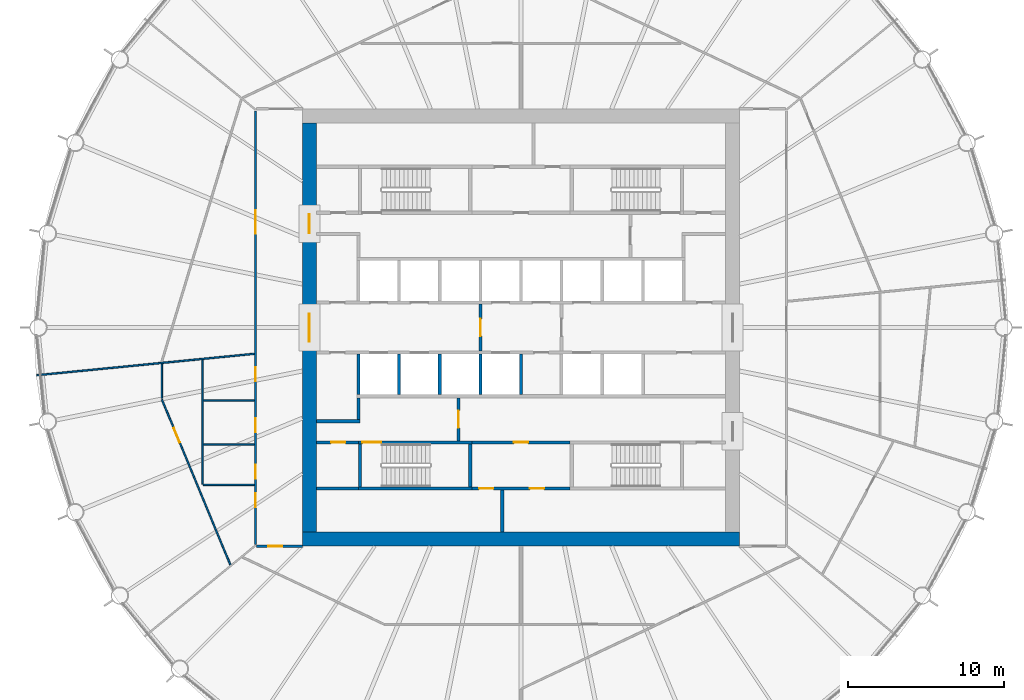
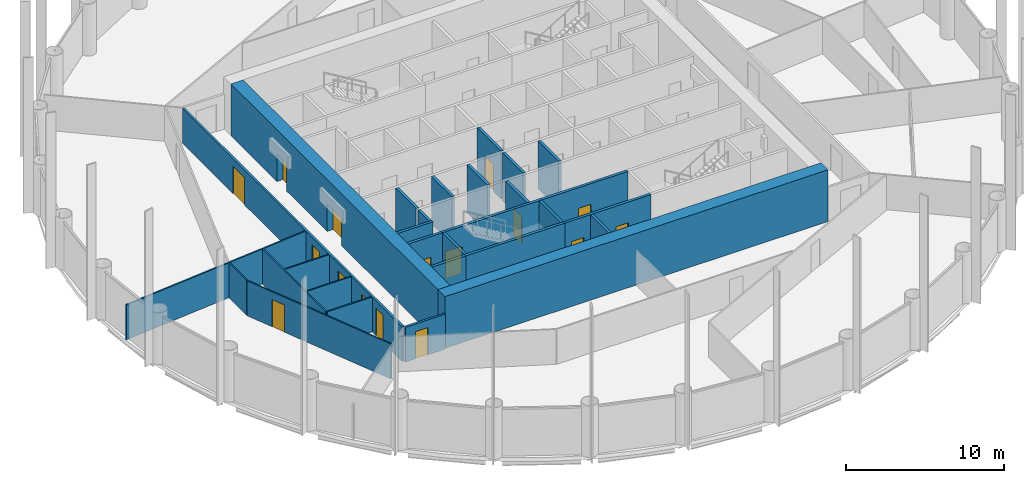
# One storey, part 4 of 8: 29 walls, 16 doors, 16 openings.
"""IFC4 building model written with IfcOpenShell, lengths in metres."""

from ifc_helpers import new_model, si_unit, direction, frame, frame_2d, origin, place, context, subcontext, project, spatial, polyline, rectangle, outline, extrude, material, layer, layer_set, type_object, element, fill, save


model = new_model("IFC4")

# Units and contexts
model_context = context("Model", 3, precision=1e-05, world=origin(), true_north=direction((0.0, 1.0)))
body_context = subcontext(model_context, "Body", "Model", "MODEL_VIEW")
ifc_project = project(units=[si_unit("LENGTHUNIT", "METRE"), si_unit("AREAUNIT", "SQUARE_METRE"), si_unit("VOLUMEUNIT", "CUBIC_METRE"), si_unit("PLANEANGLEUNIT", "RADIAN"), si_unit("MASSUNIT", "GRAM", prefix="KILO")], contexts=[model_context])

# Site, building, storey
site_placement = place(None, origin())
site = spatial("IfcSite", under=ifc_project, at=site_placement, CompositionType="ELEMENT")
building_placement = place(site_placement, origin())
building = spatial("IfcBuilding", under=site, at=building_placement, Name="Corvane Civic Tower", CompositionType="ELEMENT")
storey_placement = place(building_placement, frame((0.0, 0.0, 176.0)))
storey = spatial("IfcBuildingStorey", under=building, at=storey_placement, Name="L41", CompositionType="ELEMENT", Elevation=176.0)

# Wall
ifc_material_1 = material(Name="Concrete C60/75", Category="concrete")
ifc_layer_1 = layer(ifc_material_1, 0.89990234375)
ifc_layer_set_1 = layer_set([ifc_layer_1], Name="Concrete C60/75")
wall_type_1 = type_object("IfcWallType", Name="CORE WALL 900 C60/75", PredefinedType="SHEAR", material=ifc_layer_set_1)
wall_1_placement = place(storey_placement, frame((-14.0, -13.550048828125, 0.0), z_axis=(0.0, 0.0, 1.0), x_axis=(1.0, 0.0, 0.0)))
element("IfcWall", 1, at=wall_1_placement, inside=storey, type_object=wall_type_1, Name="W-L41-core-S", PredefinedType="SHEAR", context=body_context, shape_type="SweptSolid", body=[
    extrude(rectangle(XDim=28.0, YDim=0.89990234375, at=frame_2d((14.0, 0.0))), origin(), (0.0, 0.0, 1.0), 4.0),
])

# Wall, openings, doors
wall_2_placement = place(storey_placement, frame((-13.550048828125, -13.10009765625, 0.0), z_axis=(0.0, 0.0, 1.0), x_axis=(0.0, 1.0, 0.0)))
wall_2 = element("IfcWall", 2, at=wall_2_placement, inside=storey, type_object=wall_type_1, Name="W-L41-core-W", PredefinedType="SHEAR", context=body_context, shape_type="SweptSolid", body=[
    extrude(rectangle(XDim=26.2001953125, YDim=0.89990234375, at=frame_2d((13.10009765625, 0.0))), origin(), (0.0, 0.0, 1.0), 4.0),
])
opening_1_placement = place(wall_2_placement, frame((12.199951171875, 0.0, 0.0)))
opening_1 = element("IfcOpeningElement", 3, at=opening_1_placement, cuts=wall_2, Name="Opening L41.C24", PredefinedType="OPENING", context=body_context, shape_type="SweptSolid", body=[
    extrude(rectangle(XDim=1.800048828125, YDim=2.10009765625, at=frame_2d((0.89990234375, 1.050048828125))), frame((0.0, 0.4599609375, 0.0), z_axis=(0.0, -1.0, 0.0), x_axis=(1.0, 0.0, 0.0)), (0.0, 0.0, 1.0), 0.919921875),
])
opening_2_placement = place(wall_2_placement, frame((19.14990234375, 0.0, 0.0)))
opening_2 = element("IfcOpeningElement", 4, at=opening_2_placement, cuts=wall_2, Name="Opening L41.C26", PredefinedType="OPENING", context=body_context, shape_type="SweptSolid", body=[
    extrude(rectangle(XDim=1.199951171875, YDim=2.10009765625, at=frame_2d((0.60009765625, 1.050048828125))), frame((0.0, 0.4599609375, 0.0), z_axis=(0.0, -1.0, 0.0), x_axis=(1.0, 0.0, 0.0)), (0.0, 0.0, 1.0), 0.919921875),
])
ifc_material_2 = material(Name="Steel fire door leaf", Category="steel")
door_type_1 = type_object("IfcDoorType", Name="CR-DOOR-CORE-1800", OperationType="DOUBLE_DOOR_SINGLE_SWING", PredefinedType="DOOR", material=ifc_material_2)
door_1_placement = place(opening_1_placement, origin())
door_1 = element("IfcDoor", 5, at=door_1_placement, inside=storey, type_object=door_type_1, Name="L41 door", OperationType="DOUBLE_DOOR_SINGLE_SWING", OverallHeight=2.10009765625, OverallWidth=1.800048828125, PredefinedType="DOOR", context=body_context, shape_type="SweptSolid", body=[
    extrude(rectangle(XDim=1.800048828125, YDim=2.10009765625, at=frame_2d((0.89990234375, 1.050048828125))), frame((0.0, 0.02490234375, 0.0), z_axis=(0.0, -1.0, 0.0), x_axis=(1.0, 0.0, 0.0)), (0.0, 0.0, 1.0), 0.050048828125),
])
fill(opening_1, door_1)
door_2_placement = place(opening_2_placement, origin())
door_2 = element("IfcDoor", 6, at=door_2_placement, inside=storey, type_object=door_type_1, Name="L41 door", OperationType="DOUBLE_DOOR_SINGLE_SWING", OverallHeight=2.10009765625, OverallWidth=1.199951171875, PredefinedType="DOOR", context=body_context, shape_type="SweptSolid", body=[
    extrude(rectangle(XDim=1.199951171875, YDim=2.10009765625, at=frame_2d((0.60009765625, 1.050048828125))), frame((0.0, 0.02490234375, 0.0), z_axis=(0.0, -1.0, 0.0), x_axis=(1.0, 0.0, 0.0)), (0.0, 0.0, 1.0), 0.050048828125),
])
fill(opening_2, door_2)

ifc_material_3 = material(Name="Concrete C30/37", Category="concrete")
ifc_layer_2 = layer(ifc_material_3, 0.199951171875)
ifc_layer_set_2 = layer_set([ifc_layer_2], Name="Concrete C30/37")
wall_type_2 = type_object("IfcWallType", Name="CR-WALL-200", PredefinedType="PARTITIONING", material=ifc_layer_set_2)
wall_3_placement = place(storey_placement, frame((-3.14990234375, -10.300048828125, 0.0), z_axis=(0.0, 0.0, 1.0), x_axis=(1.0, 0.0, 0.0)))
wall_3 = element("IfcWall", 7, at=wall_3_placement, inside=storey, type_object=wall_type_2, Name="L41 partition wall", PredefinedType="PARTITIONING", context=body_context, shape_type="SweptSolid", body=[
    extrude(rectangle(XDim=6.2998046875, YDim=0.199951171875, at=frame_2d((3.14990234375, 0.0))), origin(), (0.0, 0.0, 1.0), 3.699951171875),
])
opening_3_placement = place(wall_3_placement, frame((0.47509765625, 0.0, 0.0)))
opening_3 = element("IfcOpeningElement", 8, at=opening_3_placement, cuts=wall_3, Name="Opening L41.C10", PredefinedType="OPENING", context=body_context, shape_type="SweptSolid", body=[
    extrude(rectangle(XDim=0.89990234375, YDim=2.10009765625, at=frame_2d((0.449951171875, 1.050048828125))), frame((0.0, 0.10986328125, 0.0), z_axis=(0.0, -1.0, 0.0), x_axis=(1.0, 0.0, 0.0)), (0.0, 0.0, 1.0), 0.219970703125),
])
opening_4_placement = place(wall_3_placement, frame((3.72509765625, 0.0, 0.0)))
opening_4 = element("IfcOpeningElement", 9, at=opening_4_placement, cuts=wall_3, Name="Opening L41.C11", PredefinedType="OPENING", context=body_context, shape_type="SweptSolid", body=[
    extrude(rectangle(XDim=0.89990234375, YDim=2.10009765625, at=frame_2d((0.449951171875, 1.050048828125))), frame((0.0, 0.10986328125, 0.0), z_axis=(0.0, -1.0, 0.0), x_axis=(1.0, 0.0, 0.0)), (0.0, 0.0, 1.0), 0.219970703125),
])
ifc_material_4 = material(Name="Steel fire door leaf", Category="steel")
door_type_2 = type_object("IfcDoorType", Name="CR-DOOR-900", OperationType="SINGLE_SWING_LEFT", PredefinedType="DOOR", material=ifc_material_4)
door_3_placement = place(opening_3_placement, origin())
door_3 = element("IfcDoor", 10, at=door_3_placement, inside=storey, type_object=door_type_2, Name="L41 door", OperationType="SINGLE_SWING_LEFT", OverallHeight=2.10009765625, OverallWidth=0.89990234375, PredefinedType="DOOR", context=body_context, shape_type="SweptSolid", body=[
    extrude(rectangle(XDim=0.89990234375, YDim=2.10009765625, at=frame_2d((0.449951171875, 1.050048828125))), frame((0.0, 0.02490234375, 0.0), z_axis=(0.0, -1.0, 0.0), x_axis=(1.0, 0.0, 0.0)), (0.0, 0.0, 1.0), 0.050048828125),
])
fill(opening_3, door_3)
door_4_placement = place(opening_4_placement, origin())
door_4 = element("IfcDoor", 11, at=door_4_placement, inside=storey, type_object=door_type_2, Name="L41 door", OperationType="SINGLE_SWING_LEFT", OverallHeight=2.10009765625, OverallWidth=0.89990234375, PredefinedType="DOOR", context=body_context, shape_type="SweptSolid", body=[
    extrude(rectangle(XDim=0.89990234375, YDim=2.10009765625, at=frame_2d((0.449951171875, 1.050048828125))), frame((0.0, 0.02490234375, 0.0), z_axis=(0.0, -1.0, 0.0), x_axis=(1.0, 0.0, 0.0)), (0.0, 0.0, 1.0), 0.050048828125),
])
fill(opening_4, door_4)

# Wall, opening, door
wall_4_placement = place(storey_placement, frame((-13.10009765625, -7.35009765625, 0.0), z_axis=(0.0, 0.0, 1.0), x_axis=(1.0, 0.0, 0.0)))
wall_4 = element("IfcWall", 12, at=wall_4_placement, inside=storey, type_object=wall_type_2, Name="L41 core partition wall", PredefinedType="PARTITIONING", context=body_context, shape_type="SweptSolid", body=[
    extrude(rectangle(XDim=2.7001953125, YDim=0.199951171875, at=frame_2d((1.35009765625, 0.0))), origin(), (0.0, 0.0, 1.0), 3.699951171875),
])
opening_5_placement = place(wall_4_placement, frame((0.949951171875, 0.0, 0.0)))
opening_5 = element("IfcOpeningElement", 13, at=opening_5_placement, cuts=wall_4, Name="Opening L41.C13", PredefinedType="OPENING", context=body_context, shape_type="SweptSolid", body=[
    extrude(rectangle(XDim=0.89990234375, YDim=2.10009765625, at=frame_2d((0.449951171875, 1.050048828125))), frame((0.0, 0.10986328125, 0.0), z_axis=(0.0, -1.0, 0.0), x_axis=(1.0, 0.0, 0.0)), (0.0, 0.0, 1.0), 0.219970703125),
])
door_5_placement = place(opening_5_placement, origin())
door_5 = element("IfcDoor", 14, at=door_5_placement, inside=storey, type_object=door_type_2, Name="L41 door", OperationType="SINGLE_SWING_LEFT", OverallHeight=2.10009765625, OverallWidth=0.89990234375, PredefinedType="DOOR", context=body_context, shape_type="SweptSolid", body=[
    extrude(rectangle(XDim=0.89990234375, YDim=2.10009765625, at=frame_2d((0.449951171875, 1.050048828125))), frame((0.0, 0.02490234375, 0.0), z_axis=(0.0, -1.0, 0.0), x_axis=(1.0, 0.0, 0.0)), (0.0, 0.0, 1.0), 0.050048828125),
])
fill(opening_5, door_5)

wall_5_placement = place(storey_placement, frame((-3.14990234375, -7.35009765625, 0.0), z_axis=(0.0, 0.0, 1.0), x_axis=(1.0, 0.0, 0.0)))
wall_5 = element("IfcWall", 15, at=wall_5_placement, inside=storey, type_object=wall_type_2, Name="L41 core partition wall", PredefinedType="PARTITIONING", context=body_context, shape_type="SweptSolid", body=[
    extrude(rectangle(XDim=6.2998046875, YDim=0.199951171875, at=frame_2d((3.14990234375, 0.0))), origin(), (0.0, 0.0, 1.0), 3.699951171875),
])
opening_6_placement = place(wall_5_placement, frame((2.699951171875, 0.0, 0.0)))
opening_6 = element("IfcOpeningElement", 16, at=opening_6_placement, cuts=wall_5, Name="Opening L41.C07", PredefinedType="OPENING", context=body_context, shape_type="SweptSolid", body=[
    extrude(rectangle(XDim=0.89990234375, YDim=2.10009765625, at=frame_2d((0.449951171875, 1.050048828125))), frame((0.0, 0.10986328125, 0.0), z_axis=(0.0, -1.0, 0.0), x_axis=(1.0, 0.0, 0.0)), (0.0, 0.0, 1.0), 0.219970703125),
])
door_6_placement = place(opening_6_placement, origin())
door_6 = element("IfcDoor", 17, at=door_6_placement, inside=storey, type_object=door_type_2, Name="L41 door", OperationType="SINGLE_SWING_LEFT", OverallHeight=2.10009765625, OverallWidth=0.89990234375, PredefinedType="DOOR", context=body_context, shape_type="SweptSolid", body=[
    extrude(rectangle(XDim=0.89990234375, YDim=2.10009765625, at=frame_2d((0.449951171875, 1.050048828125))), frame((0.0, 0.02490234375, 0.0), z_axis=(0.0, -1.0, 0.0), x_axis=(1.0, 0.0, 0.0)), (0.0, 0.0, 1.0), 0.050048828125),
])
fill(opening_6, door_6)

wall_6_placement = place(storey_placement, frame((-4.0, -7.25, 0.0), z_axis=(0.0, 0.0, 1.0), x_axis=(0.0, 1.0, 0.0)))
wall_6 = element("IfcWall", 18, at=wall_6_placement, inside=storey, type_object=wall_type_2, Name="L41 core partition wall", PredefinedType="PARTITIONING", context=body_context, shape_type="SweptSolid", body=[
    extrude(rectangle(XDim=2.75, YDim=0.199951171875, at=frame_2d((1.375, 0.0))), origin(), (0.0, 0.0, 1.0), 3.699951171875),
])
opening_7_placement = place(wall_6_placement, frame((0.824951171875, 0.0, 0.0)))
opening_7 = element("IfcOpeningElement", 19, at=opening_7_placement, cuts=wall_6, Name="Opening L41.C23", PredefinedType="OPENING", context=body_context, shape_type="SweptSolid", body=[
    extrude(rectangle(XDim=1.10009765625, YDim=2.10009765625, at=frame_2d((0.550048828125, 1.050048828125))), frame((0.0, 0.10986328125, 0.0), z_axis=(0.0, -1.0, 0.0), x_axis=(1.0, 0.0, 0.0)), (0.0, 0.0, 1.0), 0.219970703125),
])
ifc_material_5 = material(Name="Steel fire door leaf", Category="steel")
door_type_3 = type_object("IfcDoorType", Name="CR-DOOR-FFL-1100", OperationType="SINGLE_SWING_LEFT", PredefinedType="DOOR", material=ifc_material_5)
door_7_placement = place(opening_7_placement, origin())
door_7 = element("IfcDoor", 20, at=door_7_placement, inside=storey, type_object=door_type_3, Name="L41 lobby door", OperationType="SINGLE_SWING_LEFT", OverallHeight=2.10009765625, OverallWidth=1.10009765625, PredefinedType="DOOR", context=body_context, shape_type="SweptSolid", body=[
    extrude(rectangle(XDim=1.10009765625, YDim=2.10009765625, at=frame_2d((0.550048828125, 1.050048828125))), frame((0.0, 0.02490234375, 0.0), z_axis=(0.0, -1.0, 0.0), x_axis=(1.0, 0.0, 0.0)), (0.0, 0.0, 1.0), 0.050048828125),
])
fill(opening_7, door_7)

wall_7_placement = place(storey_placement, frame((-2.60009765625, -1.5, 0.0), z_axis=(0.0, 0.0, 1.0), x_axis=(0.0, 1.0, 0.0)))
wall_7 = element("IfcWall", 21, at=wall_7_placement, inside=storey, type_object=wall_type_2, Name="L41 firefighting lobby wall", PredefinedType="PARTITIONING", context=body_context, shape_type="SweptSolid", body=[
    extrude(rectangle(XDim=3.0, YDim=0.199951171875, at=frame_2d((1.5, 0.0))), origin(), (0.0, 0.0, 1.0), 3.699951171875),
])
opening_8_placement = place(wall_7_placement, frame((0.949951171875, 0.0, 0.0)))
opening_8 = element("IfcOpeningElement", 22, at=opening_8_placement, cuts=wall_7, Name="Opening L41.C20", PredefinedType="OPENING", context=body_context, shape_type="SweptSolid", body=[
    extrude(rectangle(XDim=1.10009765625, YDim=2.10009765625, at=frame_2d((0.550048828125, 1.050048828125))), frame((0.0, 0.10986328125, 0.0), z_axis=(0.0, -1.0, 0.0), x_axis=(1.0, 0.0, 0.0)), (0.0, 0.0, 1.0), 0.219970703125),
])
door_8_placement = place(opening_8_placement, origin())
door_8 = element("IfcDoor", 23, at=door_8_placement, inside=storey, type_object=door_type_3, Name="L41 lobby door", OperationType="SINGLE_SWING_LEFT", OverallHeight=2.10009765625, OverallWidth=1.10009765625, PredefinedType="DOOR", context=body_context, shape_type="SweptSolid", body=[
    extrude(rectangle(XDim=1.10009765625, YDim=2.10009765625, at=frame_2d((0.550048828125, 1.050048828125))), frame((0.0, 0.02490234375, 0.0), z_axis=(0.0, -1.0, 0.0), x_axis=(1.0, 0.0, 0.0)), (0.0, 0.0, 1.0), 0.050048828125),
])
fill(opening_8, door_8)

# Walls
wall_8_placement = place(storey_placement, origin())
element("IfcWall", 24, at=wall_8_placement, inside=storey, type_object=wall_type_2, Name="L41 core partition wall", PredefinedType="PARTITIONING", context=body_context, shape_type="SweptSolid", body=[
    extrude(outline(polyline([(-10.300048828125, -6.10009765625), (-13.10009765625, -6.10009765625), (-13.10009765625, -5.89990234375), (-10.300048828125, -5.89990234375), (-10.300048828125, -6.10009765625)])), origin(), (0.0, 0.0, 1.0), 3.699951171875),
])
wall_9_placement = place(storey_placement, origin())
element("IfcWall", 25, at=wall_9_placement, inside=storey, type_object=wall_type_2, Name="L41 core partition wall", PredefinedType="PARTITIONING", context=body_context, shape_type="SweptSolid", body=[
    extrude(outline(polyline([(-2.5, -1.699951171875), (-2.5, -4.2998046875), (-2.699951171875, -4.2998046875), (-2.699951171875, -1.699951171875), (-2.5, -1.699951171875)])), origin(), (0.0, 0.0, 1.0), 3.699951171875),
])
wall_10_placement = place(storey_placement, origin())
element("IfcWall", 26, at=wall_10_placement, inside=storey, type_object=wall_type_2, Name="L41 core partition wall", PredefinedType="PARTITIONING", context=body_context, shape_type="SweptSolid", body=[
    extrude(outline(polyline([(0.10009765625, -1.699951171875), (0.10009765625, -4.2998046875), (-0.10009765625, -4.2998046875), (-0.10009765625, -1.699951171875), (0.10009765625, -1.699951171875)])), origin(), (0.0, 0.0, 1.0), 3.699951171875),
])
wall_11_placement = place(storey_placement, origin())
element("IfcWall", 27, at=wall_11_placement, inside=storey, type_object=wall_type_2, Name="L41 core partition wall", PredefinedType="PARTITIONING", context=body_context, shape_type="SweptSolid", body=[
    extrude(outline(polyline([(-10.300048828125, -1.699951171875), (-10.300048828125, -4.2998046875), (-10.5, -4.2998046875), (-10.5, -1.699951171875), (-10.300048828125, -1.699951171875)])), origin(), (0.0, 0.0, 1.0), 3.699951171875),
])
wall_12_placement = place(storey_placement, origin())
element("IfcWall", 28, at=wall_12_placement, inside=storey, type_object=wall_type_2, Name="L41 core partition wall", PredefinedType="PARTITIONING", context=body_context, shape_type="SweptSolid", body=[
    extrude(outline(polyline([(-7.699951171875, -1.699951171875), (-7.699951171875, -4.2998046875), (-7.89990234375, -4.2998046875), (-7.89990234375, -1.699951171875), (-7.699951171875, -1.699951171875)])), origin(), (0.0, 0.0, 1.0), 3.699951171875),
])
wall_13_placement = place(storey_placement, origin())
element("IfcWall", 29, at=wall_13_placement, inside=storey, type_object=wall_type_2, Name="L41 core partition wall", PredefinedType="PARTITIONING", context=body_context, shape_type="SweptSolid", body=[
    extrude(outline(polyline([(-5.10009765625, -1.699951171875), (-5.10009765625, -4.2998046875), (-5.300048828125, -4.2998046875), (-5.300048828125, -1.699951171875), (-5.10009765625, -1.699951171875)])), origin(), (0.0, 0.0, 1.0), 3.699951171875),
])
wall_14_placement = place(storey_placement, origin())
element("IfcWall", 30, at=wall_14_placement, inside=storey, type_object=wall_type_2, Name="L41 core partition wall", PredefinedType="PARTITIONING", context=body_context, shape_type="SweptSolid", body=[
    extrude(outline(polyline([(-10.300048828125, -5.89990234375), (-10.5, -5.89990234375), (-10.5, -4.5), (-10.300048828125, -4.5), (-10.300048828125, -5.89990234375)])), origin(), (0.0, 0.0, 1.0), 3.699951171875),
])
wall_15_placement = place(storey_placement, origin())
element("IfcWall", 31, at=wall_15_placement, inside=storey, type_object=wall_type_2, Name="L41 core partition wall", PredefinedType="PARTITIONING", context=body_context, shape_type="SweptSolid", body=[
    extrude(outline(polyline([(-10.39990234375, -10.39990234375), (-13.10009765625, -10.39990234375), (-13.10009765625, -10.199951171875), (-10.39990234375, -10.199951171875), (-10.39990234375, -10.39990234375)])), origin(), (0.0, 0.0, 1.0), 3.699951171875),
])
wall_16_placement = place(storey_placement, origin())
element("IfcWall", 32, at=wall_16_placement, inside=storey, type_object=wall_type_2, Name="L41 core partition wall", PredefinedType="PARTITIONING", context=body_context, shape_type="SweptSolid", body=[
    extrude(outline(polyline([(-1.10009765625, -13.10009765625), (-1.300048828125, -13.10009765625), (-1.300048828125, -10.39990234375), (-1.10009765625, -10.39990234375), (-1.10009765625, -13.10009765625)])), origin(), (0.0, 0.0, 1.0), 3.699951171875),
])

# Wall, opening, door
ifc_material_6 = material(Name="Plasterboard")
ifc_layer_3 = layer(ifc_material_6, 0.10009765625)
ifc_layer_set_3 = layer_set([ifc_layer_3], Name="Plasterboard")
wall_type_3 = type_object("IfcWallType", Name="Partition 100 plasterboard on studs", PredefinedType="PARTITIONING", material=ifc_layer_set_3)
wall_17_placement = place(storey_placement, frame((-22.99609375, -4.60107421875, 0.0), z_axis=(0.0, 0.0, 1.0), x_axis=(0.382686043077, -0.923878451115, 0.0)))
wall_17 = element("IfcWall", 33, at=wall_17_placement, inside=storey, type_object=wall_type_3, Name="Partition L41.009", PredefinedType="PARTITIONING", context=body_context, shape_type="SweptSolid", body=[
    extrude(rectangle(XDim=11.4609375, YDim=0.10009765625, at=frame_2d((5.73046875, 0.0))), origin(), (0.0, 0.0, 1.0), 2.699951171875),
])
opening_9_placement = place(wall_17_placement, frame((1.989501953125, 0.0, 0.0)))
opening_9 = element("IfcOpeningElement", 34, at=opening_9_placement, cuts=wall_17, Name="Opening L41.017", PredefinedType="OPENING", context=body_context, shape_type="SweptSolid", body=[
    extrude(rectangle(XDim=1.0, YDim=2.10009765625, at=frame_2d((0.5, 1.050048828125))), frame((0.0, 0.06005859375, 0.0), z_axis=(0.0, -1.0, 0.0), x_axis=(1.0, 0.0, 0.0)), (0.0, 0.0, 1.0), 0.1201171875),
])
ifc_material_7 = material(Name="Timber", Category="wood")
door_type_4 = type_object("IfcDoorType", Name="Single door 1000", OperationType="NOTDEFINED", PredefinedType="DOOR", material=ifc_material_7)
door_9_placement = place(opening_9_placement, frame((1.0, 0.0, 0.0), z_axis=(0.0, 0.0, 1.0), x_axis=(-1.0, 0.0, 0.0)))
door_9 = element("IfcDoor", 35, at=door_9_placement, inside=storey, type_object=door_type_4, Name="Door L41.017", OperationType="SINGLE_SWING_LEFT", OverallHeight=2.10009765625, OverallWidth=1.0, PredefinedType="DOOR", context=body_context, shape_type="SweptSolid", body=[
    extrude(rectangle(XDim=1.0, YDim=2.10009765625, at=frame_2d((0.5, 1.050048828125))), frame((0.0, 0.02490234375, 0.0), z_axis=(0.0, -1.0, 0.0), x_axis=(1.0, 0.0, 0.0)), (0.0, 0.0, 1.0), 0.050048828125),
])
fill(opening_9, door_9)

# Walls
wall_18_placement = place(storey_placement, frame((-20.35009765625, -10.074462890625, 0.0), z_axis=(0.0, 0.0, 1.0), x_axis=(1.0, 0.0, 0.0)))
element("IfcWall", 36, at=wall_18_placement, inside=storey, type_object=wall_type_3, Name="Partition L41.014", PredefinedType="PARTITIONING", context=body_context, shape_type="SweptSolid", body=[
    extrude(rectangle(XDim=3.275146484375, YDim=0.10009765625, at=frame_2d((1.6376953125, 0.0))), origin(), (0.0, 0.0, 1.0), 2.699951171875),
])
wall_19_placement = place(storey_placement, frame((-20.39990234375, -10.0244140625, 0.0), z_axis=(0.0, 0.0, 1.0), x_axis=(0.0, 1.0, 0.0)))
element("IfcWall", 37, at=wall_19_placement, inside=storey, type_object=wall_type_3, Name="Partition L41.015", PredefinedType="PARTITIONING", context=body_context, shape_type="SweptSolid", body=[
    extrude(rectangle(XDim=7.9599609375, YDim=0.10009765625, at=frame_2d((3.97998046875, 0.0))), origin(), (0.0, 0.0, 1.0), 2.699951171875),
])
for number, where, z_axis, x_axis, name in (
    (38, (-20.35009765625, -7.474365234375, 0.0), (0.0, 0.0, 1.0), (1.0, 0.0, 0.0), "Partition L41.018"),
    (39, (-20.35009765625, -4.67431640625, 0.0), (0.0, 0.0, 1.0), (1.0, 0.0, 0.0), "Partition L41.020"),
):
    element("IfcWall", number, at=place(storey_placement, frame(where, z_axis=z_axis, x_axis=x_axis)), inside=storey, type_object=wall_type_3, Name=name, PredefinedType="PARTITIONING", context=body_context, shape_type="SweptSolid", body=[
        extrude(rectangle(XDim=3.275146484375, YDim=0.10009765625, at=frame_2d((1.6376953125, 0.0))), origin(), (0.0, 0.0, 1.0), 2.699951171875),
    ])
wall_20_placement = place(storey_placement, frame((-23.0, -4.532470703125, 0.0), z_axis=(0.0, 0.0, 1.0), x_axis=(0.0, 1.0, 0.0)))
element("IfcWall", 40, at=wall_20_placement, inside=storey, type_object=wall_type_3, Name="Partition L41.021", PredefinedType="PARTITIONING", context=body_context, shape_type="SweptSolid", body=[
    extrude(rectangle(XDim=2.2119140625, YDim=0.10009765625, at=frame_2d((1.10595703125, 0.0))), origin(), (0.0, 0.0, 1.0), 2.699951171875),
])
wall_21_placement = place(storey_placement, frame((-31.000244140625, -3.05322265625, 0.0), z_axis=(0.0, 0.0, 1.0), x_axis=(0.995184356936, 0.098020894254, 0.0)))
element("IfcWall", 41, at=wall_21_placement, inside=storey, type_object=wall_type_3, Name="Partition L41.022", PredefinedType="PARTITIONING", context=body_context, shape_type="SweptSolid", body=[
    extrude(rectangle(XDim=13.98779296875, YDim=0.10009765625, at=frame_2d((6.993896484375, 0.0))), origin(), (0.0, 0.0, 1.0), 2.699951171875),
])

# Wall, opening, door
ifc_material_8 = material(Name="Concrete C50/60", Category="concrete")
ifc_layer_4 = layer(ifc_material_8, 0.199951171875)
ifc_layer_set_4 = layer_set([ifc_layer_4], Name="Concrete C50/60")
wall_type_4 = type_object("IfcWallType", Name="ST-WALL-200", PredefinedType="SHEAR", material=ifc_layer_set_4)
wall_22_placement = place(storey_placement, frame((-10.39990234375, -7.35009765625, 0.0), z_axis=(0.0, 0.0, 1.0), x_axis=(1.0, 0.0, 0.0)))
wall_22 = element("IfcWall", 42, at=wall_22_placement, inside=storey, type_object=wall_type_4, Name="L41 stair enclosure wall", PredefinedType="SHEAR", context=body_context, shape_type="SweptSolid", body=[
    extrude(rectangle(XDim=7.25, YDim=0.199951171875, at=frame_2d((3.625, 0.0))), origin(), (0.0, 0.0, 1.0), 3.699951171875),
])
opening_10_placement = place(wall_22_placement, frame((0.25, 0.0, 0.0)))
opening_10 = element("IfcOpeningElement", 43, at=opening_10_placement, cuts=wall_22, Name="Opening L41.C19", PredefinedType="OPENING", context=body_context, shape_type="SweptSolid", body=[
    extrude(rectangle(XDim=1.199951171875, YDim=2.10009765625, at=frame_2d((0.60009765625, 1.050048828125))), frame((0.0, 0.10986328125, 0.0), z_axis=(0.0, -1.0, 0.0), x_axis=(1.0, 0.0, 0.0)), (0.0, 0.0, 1.0), 0.219970703125),
])
ifc_material_9 = material(Name="Steel fire door leaf", Category="steel")
door_type_5 = type_object("IfcDoorType", Name="ST-DOOR-1200", OperationType="SINGLE_SWING_RIGHT", PredefinedType="DOOR", material=ifc_material_9)
door_10_placement = place(opening_10_placement, origin())
door_10 = element("IfcDoor", 44, at=door_10_placement, inside=storey, type_object=door_type_5, Name="L41 stair door", OperationType="SINGLE_SWING_RIGHT", OverallHeight=2.10009765625, OverallWidth=1.199951171875, PredefinedType="DOOR", context=body_context, shape_type="SweptSolid", body=[
    extrude(rectangle(XDim=1.199951171875, YDim=2.10009765625, at=frame_2d((0.60009765625, 1.050048828125))), frame((0.0, 0.02490234375, 0.0), z_axis=(0.0, -1.0, 0.0), x_axis=(1.0, 0.0, 0.0)), (0.0, 0.0, 1.0), 0.050048828125),
])
fill(opening_10, door_10)

# Walls
wall_23_placement = place(storey_placement, origin())
element("IfcWall", 45, at=wall_23_placement, inside=storey, type_object=wall_type_4, Name="L41 stair enclosure wall", PredefinedType="SHEAR", context=body_context, shape_type="SweptSolid", body=[
    extrude(outline(polyline([(-3.14990234375, -10.199951171875), (-3.14990234375, -10.39990234375), (-10.39990234375, -10.39990234375), (-10.39990234375, -10.199951171875), (-3.14990234375, -10.199951171875)])), origin(), (0.0, 0.0, 1.0), 3.699951171875),
])
wall_24_placement = place(storey_placement, origin())
element("IfcWall", 46, at=wall_24_placement, inside=storey, type_object=wall_type_4, Name="L41 stair enclosure wall", PredefinedType="SHEAR", context=body_context, shape_type="SweptSolid", body=[
    extrude(outline(polyline([(-3.14990234375, -7.449951171875), (-3.14990234375, -10.199951171875), (-3.35009765625, -10.199951171875), (-3.35009765625, -7.449951171875), (-3.14990234375, -7.449951171875)])), origin(), (0.0, 0.0, 1.0), 3.699951171875),
])
wall_25_placement = place(storey_placement, origin())
element("IfcWall", 47, at=wall_25_placement, inside=storey, type_object=wall_type_4, Name="L41 stair enclosure wall", PredefinedType="SHEAR", context=body_context, shape_type="SweptSolid", body=[
    extrude(outline(polyline([(-10.199951171875, -7.449951171875), (-10.199951171875, -10.199951171875), (-10.39990234375, -10.199951171875), (-10.39990234375, -7.449951171875), (-10.199951171875, -7.449951171875)])), origin(), (0.0, 0.0, 1.0), 3.699951171875),
])

# Wall, opening, door
ifc_material_10 = material(Name="Plasterboard")
ifc_layer_5 = layer(ifc_material_10, 0.14990234375)
ifc_layer_set_5 = layer_set([ifc_layer_5], Name="Plasterboard")
wall_type_5 = type_object("IfcWallType", Name="Tenancy wall 150 EI 60", PredefinedType="PARTITIONING", material=ifc_layer_set_5)
wall_26_placement = place(storey_placement, frame((-16.925048828125, -14.0, 0.0), z_axis=(0.0, 0.0, 1.0), x_axis=(1.0, 0.0, 0.0)))
wall_26 = element("IfcWall", 48, at=wall_26_placement, inside=storey, type_object=wall_type_5, Name="Partition L41.010", PredefinedType="PARTITIONING", context=body_context, shape_type="SweptSolid", body=[
    extrude(rectangle(XDim=2.93505859375, YDim=0.14990234375, at=frame_2d((1.467529296875, 0.0))), origin(), (0.0, 0.0, 1.0), 2.699951171875),
])
opening_11_placement = place(wall_26_placement, frame((0.7333984375, 0.0, 0.0)))
opening_11 = element("IfcOpeningElement", 49, at=opening_11_placement, cuts=wall_26, Name="Opening L41.009", PredefinedType="OPENING", context=body_context, shape_type="SweptSolid", body=[
    extrude(rectangle(XDim=0.89990234375, YDim=2.10009765625, at=frame_2d((0.449951171875, 1.050048828125))), frame((0.0, 0.0849609375, 0.0), z_axis=(0.0, -1.0, 0.0), x_axis=(1.0, 0.0, 0.0)), (0.0, 0.0, 1.0), 0.169921875),
])
ifc_material_11 = material(Name="Steel and timber", Category="steel")
door_type_6 = type_object("IfcDoorType", Name="Fire door FD30S 900", OperationType="NOTDEFINED", PredefinedType="DOOR", material=ifc_material_11)
door_11_placement = place(opening_11_placement, frame((0.89990234375, 0.0, 0.0), z_axis=(0.0, 0.0, 1.0), x_axis=(-1.0, 0.0, 0.0)))
door_11 = element("IfcDoor", 50, at=door_11_placement, inside=storey, type_object=door_type_6, Name="Door L41.009", OperationType="SINGLE_SWING_RIGHT", OverallHeight=2.10009765625, OverallWidth=0.89990234375, PredefinedType="DOOR", context=body_context, shape_type="SweptSolid", body=[
    extrude(rectangle(XDim=0.89990234375, YDim=2.10009765625, at=frame_2d((0.449951171875, 1.050048828125))), frame((0.0, 0.02490234375, 0.0), z_axis=(0.0, -1.0, 0.0), x_axis=(1.0, 0.0, 0.0)), (0.0, 0.0, 1.0), 0.050048828125),
])
fill(opening_11, door_11)

# Wall, openings, doors
wall_27_placement = place(storey_placement, frame((-17.0, -13.87646484375, 0.0), z_axis=(0.0, 0.0, 1.0), x_axis=(0.0, 1.0, 0.0)))
wall_27 = element("IfcWall", 51, at=wall_27_placement, inside=storey, type_object=wall_type_5, Name="Partition L41.012", PredefinedType="PARTITIONING", context=body_context, shape_type="SweptSolid", body=[
    extrude(rectangle(XDim=27.7529296875, YDim=0.14990234375, at=frame_2d((13.87646484375, 0.0))), origin(), (0.0, 0.0, 1.0), 2.699951171875),
])
opening_12_placement = place(wall_27_placement, frame((2.37109375, 0.0, 0.0)))
opening_12 = element("IfcOpeningElement", 52, at=opening_12_placement, cuts=wall_27, Name="Opening L41.018", PredefinedType="OPENING", context=body_context, shape_type="SweptSolid", body=[
    extrude(rectangle(XDim=0.89990234375, YDim=2.10009765625, at=frame_2d((0.449951171875, 1.050048828125))), frame((0.0, 0.0849609375, 0.0), z_axis=(0.0, -1.0, 0.0), x_axis=(1.0, 0.0, 0.0)), (0.0, 0.0, 1.0), 0.169921875),
])
opening_13_placement = place(wall_27_placement, frame((10.4482421875, 0.0, 0.0)))
opening_13 = element("IfcOpeningElement", 53, at=opening_13_placement, cuts=wall_27, Name="Opening L41.019", PredefinedType="OPENING", context=body_context, shape_type="SweptSolid", body=[
    extrude(rectangle(XDim=0.89990234375, YDim=2.10009765625, at=frame_2d((0.449951171875, 1.050048828125))), frame((0.0, 0.0849609375, 0.0), z_axis=(0.0, -1.0, 0.0), x_axis=(1.0, 0.0, 0.0)), (0.0, 0.0, 1.0), 0.169921875),
])
opening_14_placement = place(wall_27_placement, frame((7.164794921875, 0.0, 0.0)))
opening_14 = element("IfcOpeningElement", 54, at=opening_14_placement, cuts=wall_27, Name="Opening L41.020", PredefinedType="OPENING", context=body_context, shape_type="SweptSolid", body=[
    extrude(rectangle(XDim=0.89990234375, YDim=2.10009765625, at=frame_2d((0.449951171875, 1.050048828125))), frame((0.0, 0.0849609375, 0.0), z_axis=(0.0, -1.0, 0.0), x_axis=(1.0, 0.0, 0.0)), (0.0, 0.0, 1.0), 0.169921875),
])
opening_15_placement = place(wall_27_placement, frame((4.189697265625, 0.0, 0.0)))
opening_15 = element("IfcOpeningElement", 55, at=opening_15_placement, cuts=wall_27, Name="Opening L41.021", PredefinedType="OPENING", context=body_context, shape_type="SweptSolid", body=[
    extrude(rectangle(XDim=0.89990234375, YDim=2.10009765625, at=frame_2d((0.449951171875, 1.050048828125))), frame((0.0, 0.0849609375, 0.0), z_axis=(0.0, -1.0, 0.0), x_axis=(1.0, 0.0, 0.0)), (0.0, 0.0, 1.0), 0.169921875),
])
opening_16_placement = place(wall_27_placement, frame((19.8896484375, 0.0, 0.0)))
opening_16 = element("IfcOpeningElement", 56, at=opening_16_placement, cuts=wall_27, Name="Opening L41.023", PredefinedType="OPENING", context=body_context, shape_type="SweptSolid", body=[
    extrude(rectangle(XDim=1.5, YDim=2.10009765625, at=frame_2d((0.75, 1.050048828125))), frame((0.0, 0.0849609375, 0.0), z_axis=(0.0, -1.0, 0.0), x_axis=(1.0, 0.0, 0.0)), (0.0, 0.0, 1.0), 0.169921875),
])
door_12_placement = place(opening_12_placement, origin())
door_12 = element("IfcDoor", 57, at=door_12_placement, inside=storey, type_object=door_type_6, Name="Door L41.018", OperationType="SINGLE_SWING_RIGHT", OverallHeight=2.10009765625, OverallWidth=0.89990234375, PredefinedType="DOOR", context=body_context, shape_type="SweptSolid", body=[
    extrude(rectangle(XDim=0.89990234375, YDim=2.10009765625, at=frame_2d((0.449951171875, 1.050048828125))), frame((0.0, 0.02490234375, 0.0), z_axis=(0.0, -1.0, 0.0), x_axis=(1.0, 0.0, 0.0)), (0.0, 0.0, 1.0), 0.050048828125),
])
fill(opening_12, door_12)
door_13_placement = place(opening_13_placement, origin())
door_13 = element("IfcDoor", 58, at=door_13_placement, inside=storey, type_object=door_type_6, Name="Door L41.019", OperationType="SINGLE_SWING_LEFT", OverallHeight=2.10009765625, OverallWidth=0.89990234375, PredefinedType="DOOR", context=body_context, shape_type="SweptSolid", body=[
    extrude(rectangle(XDim=0.89990234375, YDim=2.10009765625, at=frame_2d((0.449951171875, 1.050048828125))), frame((0.0, 0.02490234375, 0.0), z_axis=(0.0, -1.0, 0.0), x_axis=(1.0, 0.0, 0.0)), (0.0, 0.0, 1.0), 0.050048828125),
])
fill(opening_13, door_13)
door_14_placement = place(opening_14_placement, origin())
door_14 = element("IfcDoor", 59, at=door_14_placement, inside=storey, type_object=door_type_6, Name="Door L41.020", OperationType="SINGLE_SWING_LEFT", OverallHeight=2.10009765625, OverallWidth=0.89990234375, PredefinedType="DOOR", context=body_context, shape_type="SweptSolid", body=[
    extrude(rectangle(XDim=0.89990234375, YDim=2.10009765625, at=frame_2d((0.449951171875, 1.050048828125))), frame((0.0, 0.02490234375, 0.0), z_axis=(0.0, -1.0, 0.0), x_axis=(1.0, 0.0, 0.0)), (0.0, 0.0, 1.0), 0.050048828125),
])
fill(opening_14, door_14)
door_15_placement = place(opening_15_placement, origin())
door_15 = element("IfcDoor", 60, at=door_15_placement, inside=storey, type_object=door_type_6, Name="Door L41.021", OperationType="SINGLE_SWING_RIGHT", OverallHeight=2.10009765625, OverallWidth=0.89990234375, PredefinedType="DOOR", context=body_context, shape_type="SweptSolid", body=[
    extrude(rectangle(XDim=0.89990234375, YDim=2.10009765625, at=frame_2d((0.449951171875, 1.050048828125))), frame((0.0, 0.02490234375, 0.0), z_axis=(0.0, -1.0, 0.0), x_axis=(1.0, 0.0, 0.0)), (0.0, 0.0, 1.0), 0.050048828125),
])
fill(opening_15, door_15)
ifc_material_12 = material(Name="Steel and timber", Category="steel")
door_type_7 = type_object("IfcDoorType", Name="Fire door FD60 double 1500", OperationType="NOTDEFINED", PredefinedType="DOOR", material=ifc_material_12)
door_16_placement = place(opening_16_placement, origin())
door_16 = element("IfcDoor", 61, at=door_16_placement, inside=storey, type_object=door_type_7, Name="Door L41.023", OperationType="DOUBLE_DOOR_SINGLE_SWING", OverallHeight=2.10009765625, OverallWidth=1.5, PredefinedType="DOOR", context=body_context, shape_type="SweptSolid", body=[
    extrude(rectangle(XDim=1.5, YDim=2.10009765625, at=frame_2d((0.75, 1.050048828125))), frame((0.0, 0.02490234375, 0.0), z_axis=(0.0, -1.0, 0.0), x_axis=(1.0, 0.0, 0.0)), (0.0, 0.0, 1.0), 0.050048828125),
])
fill(opening_16, door_16)

save(model, "model.ifc")
